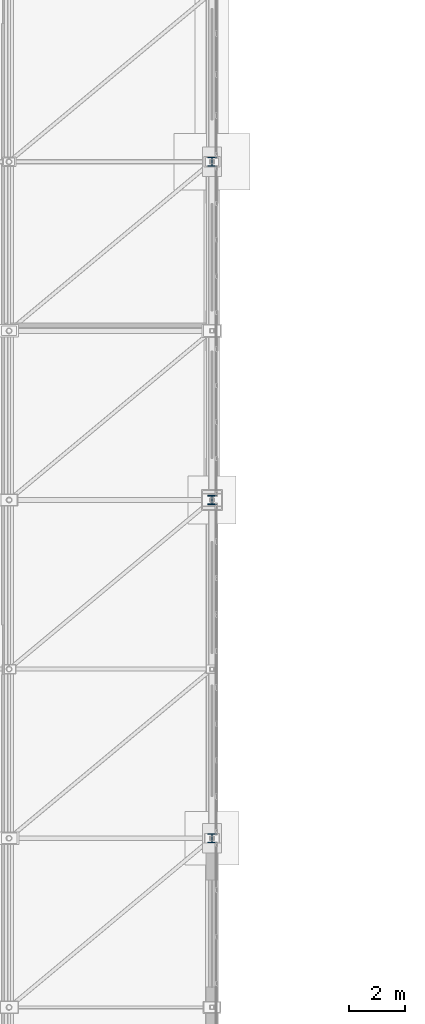
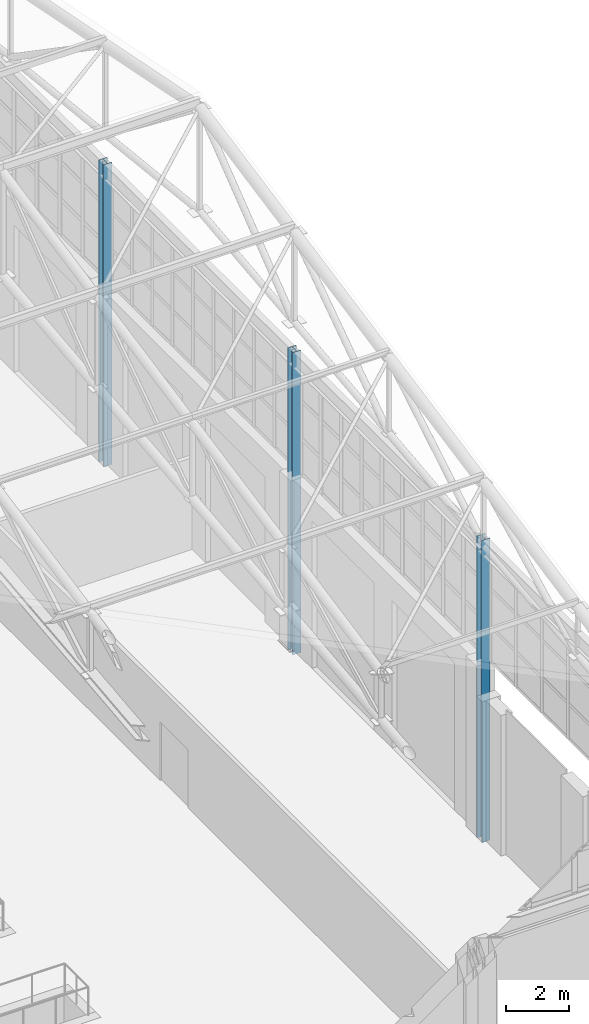
# One storey, part 35 of 293: 3 columns.
"""IFC4 building model written with IfcOpenShell, lengths in metres."""

from ifc_helpers import new_model, si_unit, direction, frame, origin, origin_2d, place, context, subcontext, project, spatial, i_section, extrude, material, material_profile, profile_set, type_object, element, save


model = new_model("IFC4")

# Units and contexts
model_context = context("Model", 3, precision=1e-05, world=origin(), true_north=direction((0.0, 1.0)))
body_context = subcontext(model_context, "Body", "Model", "MODEL_VIEW")
ifc_project = project(units=[si_unit("LENGTHUNIT", "METRE"), si_unit("AREAUNIT", "SQUARE_METRE"), si_unit("VOLUMEUNIT", "CUBIC_METRE"), si_unit("PLANEANGLEUNIT", "RADIAN"), si_unit("MASSUNIT", "GRAM", prefix="KILO")], contexts=[model_context])

# Site, building, storey
site_placement = place(None, origin())
site = spatial("IfcSite", under=ifc_project, at=site_placement, CompositionType="ELEMENT")
building_placement = place(site_placement, origin())
building = spatial("IfcBuilding", under=site, at=building_placement, Name="Kemerveld Promenade Tramway Depot", CompositionType="ELEMENT")
storey_placement = place(building_placement, origin())
storey = spatial("IfcBuildingStorey", under=building, at=storey_placement, Name="L00", CompositionType="ELEMENT", Elevation=0.0)

# Columns
ifc_material = material(Name="Steel S355", Category="steel")
ifc_material_profile = material_profile(ifc_material, i_section(OverallWidth=0.311279296875, OverallDepth=0.3271484375, WebThickness=0.015869140625, FlangeThickness=0.02490234375, FilletRadius=0.01513671875, at=origin_2d()), Name="305x305x158 UC")
ifc_profile_set = profile_set([ifc_material_profile], Name="Steel S355")
column_type = type_object("IfcColumnType", Name="COL-S05", PredefinedType="COLUMN", material=ifc_profile_set)
for number, where, z_axis, x_axis, name in (
    (1, (187.199951171875, 96.0, -0.300048828125), (0.0, 0.0, 1.0), (1.0, 0.0, 0.0), "COL-L00-27-P"),
    (2, (187.199951171875, 108.0, -0.300048828125), (0.0, 0.0, 1.0), (1.0, 0.0, 0.0), "COL-L00-27-Q"),
    (3, (187.199951171875, 120.0, -0.300048828125), (0.0, 0.0, 1.0), (1.0, 0.0, 0.0), "COL-L00-27-R"),
):
    element("IfcColumn", number, at=place(storey_placement, frame(where, z_axis=z_axis, x_axis=x_axis)), inside=storey, type_object=column_type, Name=name, PredefinedType="COLUMN", context=body_context, shape_type="SweptSolid", body=[
        extrude(i_section(OverallWidth=0.311279296875, OverallDepth=0.3271484375, WebThickness=0.015869140625, FlangeThickness=0.02490234375, FilletRadius=0.01513671875, at=origin_2d()), origin(), (0.0, 0.0, 1.0), 11.699951171875),
    ])

save(model, "model.ifc")
